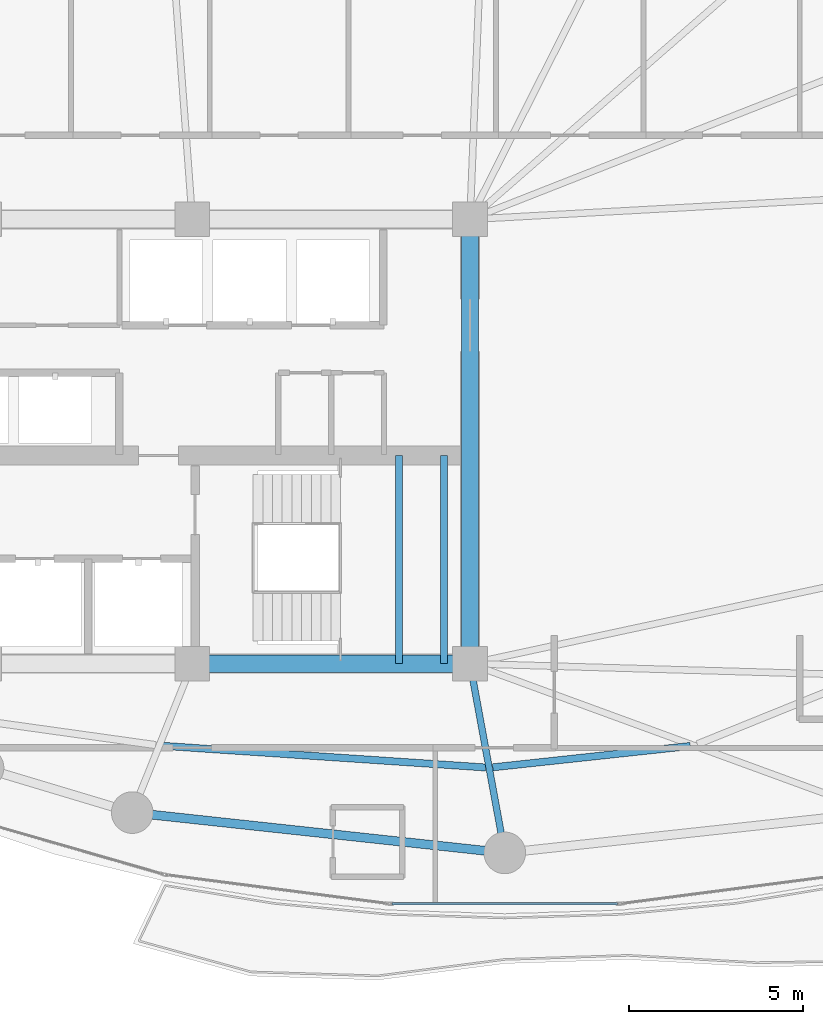
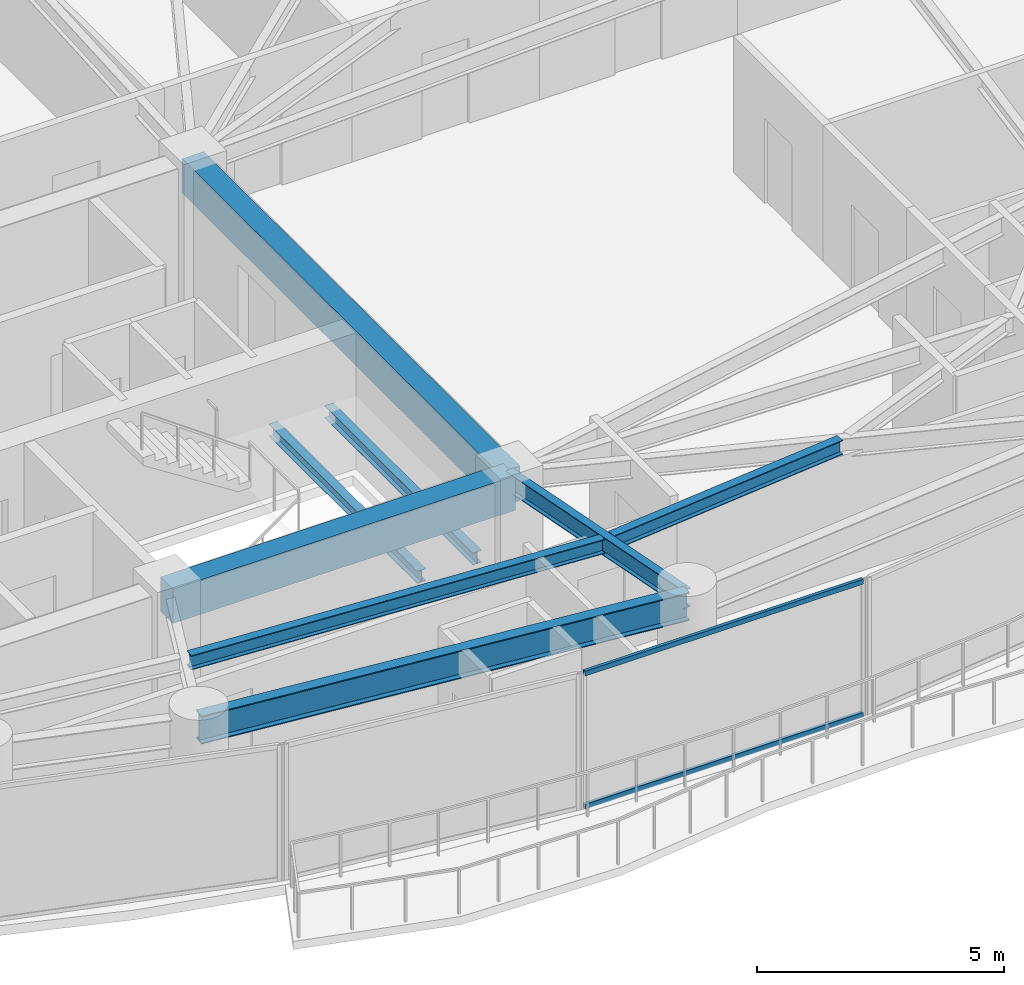
# One storey, part 6 of 28: 8 beams, 2 members, 1 element without a shape of its own.
"""IFC4 building model written with IfcOpenShell, lengths in metres."""

from ifc_helpers import new_model, si_unit, direction, frame, origin, origin_2d, place, context, subcontext, project, spatial, rectangle, hollow_rectangle, i_section, extrude, material, layer, layer_set, material_profile, profile_set, type_object, element, aggregate, save


model = new_model("IFC4")

# Units and contexts
model_context = context("Model", 3, precision=1e-05, world=origin(), true_north=direction((0.0, 1.0)))
body_context = subcontext(model_context, "Body", "Model", "MODEL_VIEW")
ifc_project = project(units=[si_unit("LENGTHUNIT", "METRE"), si_unit("AREAUNIT", "SQUARE_METRE"), si_unit("VOLUMEUNIT", "CUBIC_METRE"), si_unit("PLANEANGLEUNIT", "RADIAN"), si_unit("MASSUNIT", "GRAM", prefix="KILO")], contexts=[model_context])

# Site, building, storey
site_placement = place(None, origin())
site = spatial("IfcSite", under=ifc_project, at=site_placement, CompositionType="ELEMENT")
building_placement = place(site_placement, origin())
building = spatial("IfcBuilding", under=site, at=building_placement, Name="Kazevale Care Tower and Concert Hall", CompositionType="ELEMENT")
storey_placement = place(building_placement, frame((0.0, 0.0, 120.60009765625)))
storey = spatial("IfcBuildingStorey", under=building, at=storey_placement, Name="L31", CompositionType="ELEMENT", Elevation=120.60009765625)

# Curtain wall, members
ifc_material_1 = material(Name="Aluminium 6063-T6 and Low-E Glass", Category="aluminium")
ifc_layer = layer(ifc_material_1, 0.179931640625)
ifc_layer_set = layer_set([ifc_layer], Name="Aluminium 6063-T6 and Low-E Glass")
curtain_wall_type = type_object("IfcCurtainWallType", Name="Sheltered Concave Balcony Curtain Wall CW-5", PredefinedType="NOTDEFINED", material=ifc_layer_set)
curtain_wall_placement = place(storey_placement, origin())
curtain_wall = element("IfcCurtainWall", 1, at=curtain_wall_placement, inside=storey, type_object=curtain_wall_type, Name="cw:L31:f06", PredefinedType="NOTDEFINED")
ifc_material_2 = material(Name="Aluminium 6063-T6", Category="aluminium")
ifc_material_profile_1 = material_profile(ifc_material_2, hollow_rectangle(XDim=0.074951171875, YDim=0.1201171875, WallThickness=0.00390625, at=origin_2d()), Name="ALU75x120x4")
ifc_profile_set_1 = profile_set([ifc_material_profile_1], Name="Aluminium 6063-T6")
member_type = type_object("IfcMemberType", Name="CW-5 Transom ALU75x120x4", PredefinedType="USERDEFINED", material=ifc_profile_set_1)
member_1_placement = place(storey_placement, frame((48.25, 16.68408203125, 0.037353515625), z_axis=(-1.0, 0.0, 0.0), x_axis=(0.0, -1.0, 0.0)))
member_1 = element("IfcMember", 2, at=member_1_placement, type_object=member_type, Name="CW-5 transom 1.1", ObjectType="TRANSOM", PredefinedType="USERDEFINED", context=body_context, shape_type="SweptSolid", body=[
    extrude(hollow_rectangle(XDim=0.074951171875, YDim=0.1201171875, WallThickness=0.00390625, at=origin_2d()), origin(), (0.0, 0.0, 1.0), 6.5),
])
member_2_placement = place(storey_placement, frame((48.25, 16.68408203125, 3.322509765625), z_axis=(-1.0, 0.0, 0.0), x_axis=(0.0, -1.0, 0.0)))
member_2 = element("IfcMember", 3, at=member_2_placement, type_object=member_type, Name="CW-5 transom 1.2", ObjectType="TRANSOM", PredefinedType="USERDEFINED", context=body_context, shape_type="SweptSolid", body=[
    extrude(hollow_rectangle(XDim=0.074951171875, YDim=0.1201171875, WallThickness=0.00390625, at=origin_2d()), origin(), (0.0, 0.0, 1.0), 6.5),
])
aggregate(curtain_wall, [member_1, member_2])

# Beams
ifc_material_3 = material(Name="Concrete C60", Category="concrete")
ifc_material_profile_2 = material_profile(ifc_material_3, rectangle(XDim=0.5, YDim=0.85009765625, at=origin_2d()), Name="RC-B500x850")
ifc_profile_set_2 = profile_set([ifc_material_profile_2], Name="Concrete C60")
beam_type_1 = type_object("IfcBeamType", Name="Core Coupling Beam RC500x850", PredefinedType="LINTEL", material=ifc_profile_set_2)
beam_1_placement = place(storey_placement, frame((36.0, 23.60009765625, 2.934814453125), z_axis=(1.0, 0.0, 0.0), x_axis=(0.0, 1.0, 0.0)))
element("IfcBeam", 4, at=beam_1_placement, inside=storey, type_object=beam_type_1, Name="beam:L31:coretie:3", PredefinedType="LINTEL", context=body_context, shape_type="SweptSolid", body=[
    extrude(rectangle(XDim=0.5, YDim=0.85009765625, at=origin_2d()), origin(), (0.0, 0.0, 1.0), 8.0),
])
beam_2_placement = place(storey_placement, frame((44.0, 23.60009765625, 2.934814453125), z_axis=(0.0, 1.0, 0.0), x_axis=(-1.0, 0.0, 0.0)))
element("IfcBeam", 5, at=beam_2_placement, inside=storey, type_object=beam_type_1, Name="beam:L31:coretie:4", PredefinedType="LINTEL", context=body_context, shape_type="SweptSolid", body=[
    extrude(rectangle(XDim=0.5, YDim=0.85009765625, at=origin_2d()), origin(), (0.0, 0.0, 1.0), 12.7998046875),
])
ifc_material_4 = material(Name="Steel ASTM A572 Gr 50", Category="steel")
ifc_material_profile_3 = material_profile(ifc_material_4, i_section(OverallWidth=0.19091796875, OverallDepth=0.4599609375, WebThickness=0.010009765625, FlangeThickness=0.01611328125, at=origin_2d()), Name="W460x82")
ifc_profile_set_3 = profile_set([ifc_material_profile_3], Name="Steel ASTM A572 Gr 50")
beam_type_2 = type_object("IfcBeamType", Name="Radial Floor Beam W460x82", PredefinedType="BEAM", material=ifc_profile_set_3)
beam_3_placement = place(storey_placement, frame((44.0, 23.60009765625, 3.1298828125), z_axis=(0.180467114023, -0.983581018908, 0.0), x_axis=(0.983581018908, 0.180467114023, 0.0)))
element("IfcBeam", 6, at=beam_3_placement, inside=storey, type_object=beam_type_2, Name="beam:L31:rad:13", PredefinedType="BEAM", context=body_context, shape_type="SweptSolid", body=[
    extrude(i_section(OverallWidth=0.19091796875, OverallDepth=0.4599609375, WebThickness=0.010009765625, FlangeThickness=0.01611328125, at=origin_2d()), origin(), (0.0, 0.0, 1.0), 5.541259765625),
])
ifc_material_profile_4 = material_profile(ifc_material_4, i_section(OverallWidth=0.205078125, OverallDepth=0.35400390625, WebThickness=0.009521484375, FlangeThickness=0.016845703125, at=origin_2d()), Name="W360x79")
ifc_profile_set_4 = profile_set([ifc_material_profile_4], Name="Steel ASTM A572 Gr 50")
beam_type_3 = type_object("IfcBeamType", Name="Secondary Floor Joist W360x79", PredefinedType="JOIST", material=ifc_profile_set_4)
beam_4_placement = place(storey_placement, frame((35.153076171875, 21.23291015625, 3.182861328125), z_axis=(0.997761314569, -0.06687569925, 0.0), x_axis=(0.06687569925, 0.997761314569, 0.0)))
element("IfcBeam", 7, at=beam_4_placement, inside=storey, type_object=beam_type_3, Name="beam:L31:joist:12", PredefinedType="JOIST", context=body_context, shape_type="SweptSolid", body=[
    extrude(i_section(OverallWidth=0.205078125, OverallDepth=0.35400390625, WebThickness=0.009521484375, FlangeThickness=0.016845703125, at=origin_2d()), origin(), (0.0, 0.0, 1.0), 9.312744140625),
])
beam_5_placement = place(storey_placement, frame((44.654052734375, 20.614013671875, 3.182861328125), z_axis=(0.994215541126, 0.107403248482, 0.0), x_axis=(-0.107403248482, 0.994215541126, 0.0)))
element("IfcBeam", 8, at=beam_5_placement, inside=storey, type_object=beam_type_3, Name="beam:L31:joist:13", PredefinedType="JOIST", context=body_context, shape_type="SweptSolid", body=[
    extrude(i_section(OverallWidth=0.205078125, OverallDepth=0.35400390625, WebThickness=0.009521484375, FlangeThickness=0.016845703125, at=origin_2d()), origin(), (0.0, 0.0, 1.0), 5.72607421875),
])
ifc_material_profile_5 = material_profile(ifc_material_4, i_section(OverallWidth=0.202880859375, OverallDepth=0.302978515625, WebThickness=0.007568359375, FlangeThickness=0.01318359375, at=origin_2d()), Name="W310x60")
ifc_profile_set_5 = profile_set([ifc_material_profile_5], Name="Steel ASTM A572 Gr 50")
beam_type_4 = type_object("IfcBeamType", Name="Stair & Balcony Trimmer W310x60", PredefinedType="BEAM", material=ifc_profile_set_5)
for number, where, z_axis, x_axis, name in (
    (9, (41.949951171875, 23.60009765625, 1.448486328125), (0.0, 1.0, 0.0), (-1.0, 0.0, 0.0), "beam:L31:sttrim:ST2"),
    (10, (43.25, 23.60009765625, 1.448486328125), (0.0, 1.0, 0.0), (-1.0, 0.0, 0.0), "beam:L31:sttrim:ST2b"),
):
    element("IfcBeam", number, at=place(storey_placement, frame(where, z_axis=z_axis, x_axis=x_axis)), inside=storey, type_object=beam_type_4, Name=name, PredefinedType="BEAM", context=body_context, shape_type="SweptSolid", body=[
        extrude(i_section(OverallWidth=0.202880859375, OverallDepth=0.302978515625, WebThickness=0.007568359375, FlangeThickness=0.01318359375, at=origin_2d()), origin(), (0.0, 0.0, 1.0), 6.0),
    ])
ifc_material_profile_6 = material_profile(ifc_material_4, i_section(OverallWidth=0.256103515625, OverallDepth=0.693115234375, WebThickness=0.014404296875, FlangeThickness=0.023681640625, at=origin_2d()), Name="W690x170")
ifc_profile_set_6 = profile_set([ifc_material_profile_6], Name="Steel ASTM A572 Gr 50")
beam_type_5 = type_object("IfcBeamType", Name="Waist Ring Beam W690x170", PredefinedType="BEAM", material=ifc_profile_set_6)
beam_6_placement = place(storey_placement, frame((34.27001953125, 19.31005859375, 3.013427734375), z_axis=(0.994205479487, -0.107496346724, 0.0), x_axis=(0.107496346724, 0.994205479487, 0.0)))
element("IfcBeam", 11, at=beam_6_placement, inside=storey, type_object=beam_type_5, Name="beam:L31:ring:12", PredefinedType="BEAM", context=body_context, shape_type="SweptSolid", body=[
    extrude(i_section(OverallWidth=0.256103515625, OverallDepth=0.693115234375, WebThickness=0.014404296875, FlangeThickness=0.023681640625, at=origin_2d()), origin(), (0.0, 0.0, 1.0), 10.79248046875),
])

save(model, "model.ifc")
